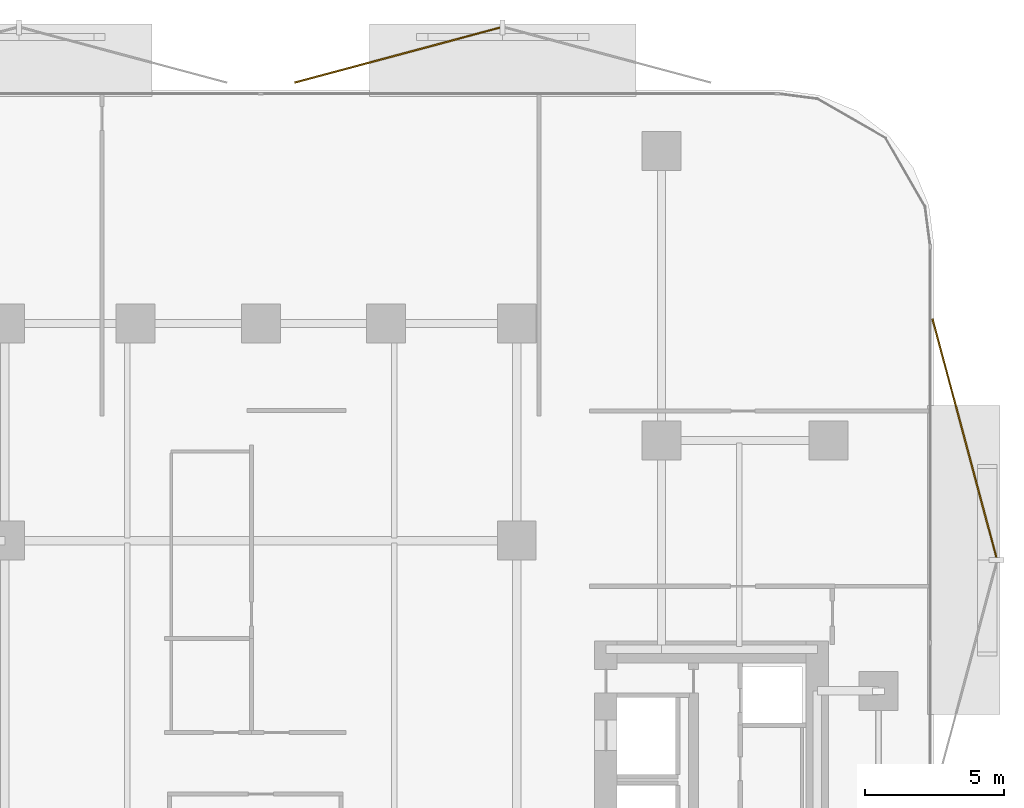
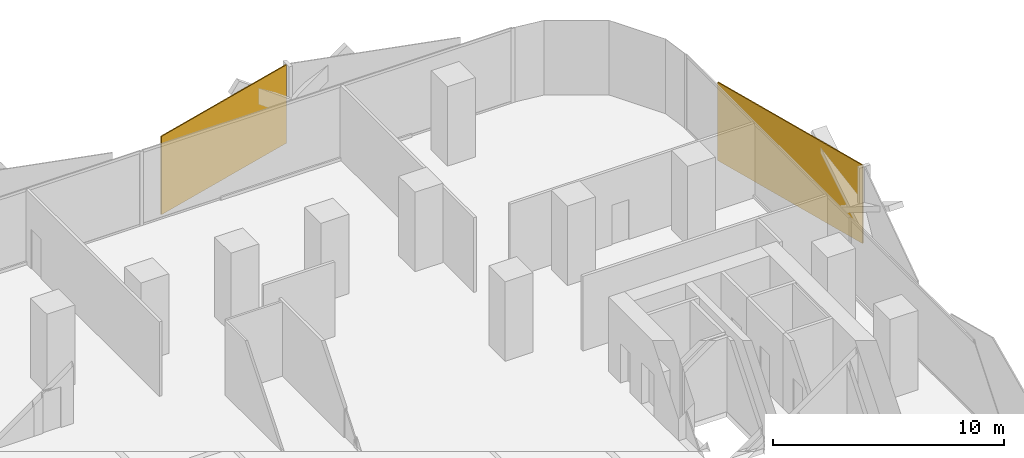
# One storey, part 16 of 16: 2 coverings.
"""IFC4 building model written with IfcOpenShell, lengths in metres."""

import ifcopenshell
import ifcopenshell.guid

model = None  # the IFC model being written
_history = None  # IfcOwnerHistory: only IFC2X3 demands one
_inside = {}  # id of a spatial element -> (the spatial element, [elements in it])
_under = {}  # id of a project, library or spatial element -> (it, [spatial elements below it])
_declared = {}  # id of a project -> (the project, [libraries it declares])
_typed = {}  # id of a type object -> (the type object, [elements of that type])
_made_of = {}  # id of a material, layer set ... -> (it, [elements and type objects made of it])


def new_model(schema):
    """Start an empty IFC model of exactly this schema.

    Asked for "IFC4X3", IfcOpenShell would pick the latest addendum, in which some entities
    have other attributes; the version numbers below select the first issue.
    IFC2X3 requires an IfcOwnerHistory on every rooted entity: one is made here for all.
    """
    global model, _history
    if schema == "IFC4X3":
        model = ifcopenshell.file(schema_version=(4, 3, 0, 0))
    else:
        model = ifcopenshell.file(schema=schema)
    _inside.clear()
    _under.clear()
    _declared.clear()
    _typed.clear()
    _made_of.clear()
    _history = None
    if model.schema == "IFC2X3":
        org = make("IfcOrganization", Name="unknown")
        user = make(
            "IfcPersonAndOrganization",
            ThePerson=make("IfcPerson", FamilyName="unknown"),
            TheOrganization=org,
        )
        app = make(
            "IfcApplication",
            ApplicationDeveloper=org,
            Version="unknown",
            ApplicationFullName="unknown",
            ApplicationIdentifier="unknown",
        )
        _history = make(
            "IfcOwnerHistory",
            OwningUser=user,
            OwningApplication=app,
            ChangeAction="ADDED",
            CreationDate=0,
        )
    return model


def make(cls, **values):
    """One entity of the class cls with the attributes given. An attribute that is None is left unset."""
    return model.create_entity(
        cls, **{name: value for name, value in values.items() if value is not None}
    )


def rooted(cls, **values):
    """An entity with a GlobalId (a new one), such as an element, a storey or a relation."""
    return make(cls, GlobalId=ifcopenshell.guid.new(), OwnerHistory=_history, **values)


def si_unit(unit_type, name, prefix=None):
    """IfcSIUnit, for example si_unit("LENGTHUNIT", "METRE", prefix="MILLI")."""
    return make("IfcSIUnit", UnitType=unit_type, Prefix=prefix, Name=name)


def assignment(units):
    """IfcUnitAssignment: the units of a project."""
    return None if units is None else make("IfcUnitAssignment", Units=units)


def point(xyz):
    """IfcCartesianPoint."""
    return None if xyz is None else make("IfcCartesianPoint", Coordinates=xyz)


def direction(xyz):
    """IfcDirection."""
    return None if xyz is None else make("IfcDirection", DirectionRatios=xyz)


def frame(location, z_axis=None, x_axis=None):
    """IfcAxis2Placement3D, a coordinate frame: its origin and axes. An axis left out is left unset."""
    return make(
        "IfcAxis2Placement3D",
        Location=point(location),
        Axis=direction(z_axis),
        RefDirection=direction(x_axis),
    )


def frame_2d(location, x_axis=None):
    """IfcAxis2Placement2D, a coordinate frame in the plane: its origin and x axis."""
    return make(
        "IfcAxis2Placement2D", Location=point(location), RefDirection=direction(x_axis)
    )


def origin():
    """The frame at (0, 0, 0) with its axes left unset."""
    return frame((0.0, 0.0, 0.0))


def origin_2d():
    """The frame at (0, 0) in the plane with its x axis left unset."""
    return frame_2d((0.0, 0.0))


def place(relative_to, where):
    """IfcLocalPlacement: puts the frame where relative to a parent placement (None: the world)."""
    return make(
        "IfcLocalPlacement", PlacementRelTo=relative_to, RelativePlacement=where
    )


def context(
    kind, dimensions, precision=None, world=None, true_north=None, identifier=None
):
    """IfcGeometricRepresentationContext, for example the 3D "Model" context."""
    return make(
        "IfcGeometricRepresentationContext",
        ContextIdentifier=identifier,
        ContextType=kind,
        CoordinateSpaceDimension=dimensions,
        Precision=precision,
        WorldCoordinateSystem=world,
        TrueNorth=true_north,
    )


def subcontext(parent, identifier, kind, view, scale=None):
    """IfcGeometricRepresentationSubContext, for example "Body" below "Model"."""
    return make(
        "IfcGeometricRepresentationSubContext",
        ContextIdentifier=identifier,
        ContextType=kind,
        ParentContext=parent,
        TargetScale=scale,
        TargetView=view,
    )


def project(units=None, contexts=None):
    """IfcProject with its units and contexts."""
    return rooted(
        "IfcProject",
        Name="project",
        RepresentationContexts=contexts,
        UnitsInContext=assignment(units),
    )


def spatial(cls, under=None, at=None, **own):
    """A site, building, storey or space (cls), placed at a placement, below another one or the project."""
    s = rooted(cls, ObjectPlacement=at, **own)
    if under is not None:
        _under.setdefault(under.id(), (under, []))[1].append(s)
    return s


def profile(cls, at=None, kind="AREA", **sizes):
    """A parametric profile (cls). Its sizes go by their IFC names, for example OverallWidth=200.0."""
    return make(cls, ProfileType=kind, Position=at, **sizes)


def rectangle(**sizes):
    """IfcRectangleProfileDef."""
    return profile("IfcRectangleProfileDef", **sizes)


def extrude(swept, where, along, depth):
    """IfcExtrudedAreaSolid: the profile swept, set in the frame where, extruded along a direction by depth."""
    return make(
        "IfcExtrudedAreaSolid",
        SweptArea=swept,
        Position=where,
        ExtrudedDirection=direction(along),
        Depth=depth,
    )


def shape(context_of_items, identifier, shape_type, items):
    """IfcShapeRepresentation: the items that make up one representation, for example the "Body"."""
    return make(
        "IfcShapeRepresentation",
        ContextOfItems=context_of_items,
        RepresentationIdentifier=identifier,
        RepresentationType=shape_type,
        Items=items,
    )


def material(Name=None, Category=None):
    """IfcMaterial."""
    return make("IfcMaterial", Name=Name, Category=Category)


def layer(
    of_material, thickness, ventilated=None, Name=None, Category=None, Priority=None
):
    """IfcMaterialLayer: one layer of a wall or slab, of a material (None: an air gap)."""
    return make(
        "IfcMaterialLayer",
        Material=of_material,
        LayerThickness=thickness,
        IsVentilated=ventilated,
        Name=Name,
        Category=Category,
        Priority=Priority,
    )


def layer_set(layers, Name=None):
    """IfcMaterialLayerSet."""
    return make("IfcMaterialLayerSet", MaterialLayers=layers, LayerSetName=Name)


def made_of(thing, what):
    """Note that an element or type object is made of a material, layer set ...; save() writes the relation."""
    if what is not None:
        _made_of.setdefault(what.id(), (what, []))[1].append(thing)
    return thing


def type_object(cls, material=None, **own):
    """A type object (cls), such as IfcWallType, which elements share."""
    return made_of(rooted(cls, **own), material)


def element(
    cls,
    number,
    at=None,
    inside=None,
    cuts=None,
    type_object=None,
    material=None,
    context=None,
    identifier="Body",
    shape_type=None,
    held_by="IfcProductDefinitionShape",
    body=None,
    shapes=None,
    **own,
):
    """One element of the class cls, such as IfcWall. Its Tag is "e" and its number.

    at: its placement. inside: the storey or other place that contains it. cuts: it is an
    opening in that element (IfcRelVoidsElement). A single representation is given by context,
    identifier, shape_type and body (its items); several are given by shapes. held_by: the class
    of the entity that holds the representations. save() writes the other relations.
    """
    e = rooted(cls, Tag="e%d" % number, ObjectPlacement=at, **own)
    if body is not None:
        shapes = [shape(context, identifier, shape_type, body)]
    if shapes is not None:
        e.Representation = make(held_by, Representations=shapes)
    if inside is not None:
        _inside.setdefault(inside.id(), (inside, []))[1].append(e)
    if cuts is not None:
        rooted(
            "IfcRelVoidsElement", RelatingBuildingElement=cuts, RelatedOpeningElement=e
        )
    if type_object is not None:
        _typed.setdefault(type_object.id(), (type_object, []))[1].append(e)
    return made_of(e, material)


def aggregate(whole, parts):
    """IfcRelAggregates: a whole, such as a stair, and the parts it consists of."""
    return rooted("IfcRelAggregates", RelatingObject=whole, RelatedObjects=parts)


def save(model, path):
    """Write the relations noted so far, then the file.

    IfcRelAggregates (storeys below a building ...), IfcRelContainedInSpatialStructure (elements
    in a storey), IfcRelDefinesByType, IfcRelAssociatesMaterial and IfcRelDeclares: one each for
    every whole, place, type object, material and project.
    """
    for whole, parts in _under.values():
        aggregate(whole, parts)
    for where, things in _inside.values():
        rooted(
            "IfcRelContainedInSpatialStructure",
            RelatedElements=things,
            RelatingStructure=where,
        )
    for kind, things in _typed.values():
        rooted("IfcRelDefinesByType", RelatedObjects=things, RelatingType=kind)
    for what, things in _made_of.values():
        rooted("IfcRelAssociatesMaterial", RelatedObjects=things, RelatingMaterial=what)
    for by, libraries in _declared.values():
        rooted("IfcRelDeclares", RelatingContext=by, RelatedDefinitions=libraries)
    model.write(path)


model = new_model("IFC4")

# Units and contexts
model_context = context("Model", 3, precision=1e-05, world=origin(), true_north=direction((0.0, 1.0)))
body_context = subcontext(model_context, "Body", "Model", "MODEL_VIEW")
ifc_project = project(units=[si_unit("LENGTHUNIT", "METRE"), si_unit("AREAUNIT", "SQUARE_METRE"), si_unit("VOLUMEUNIT", "CUBIC_METRE"), si_unit("PLANEANGLEUNIT", "RADIAN"), si_unit("MASSUNIT", "GRAM", prefix="KILO")], contexts=[model_context])

# Site, building, storey
site_placement = place(None, origin())
site = spatial("IfcSite", under=ifc_project, at=site_placement, CompositionType="ELEMENT")
building_placement = place(site_placement, origin())
building = spatial("IfcBuilding", under=site, at=building_placement, Name="Khairoan Windgate Tower", CompositionType="ELEMENT")
storey_placement = place(building_placement, frame((0.0, 0.0, 42.800048828125)))
storey = spatial("IfcBuildingStorey", under=building, at=storey_placement, Name="L10", CompositionType="ELEMENT", Elevation=42.800048828125)

# Coverings
ifc_material = material(Name="Anodised Bronze Aluminium 6063-T6", Category="aluminium")
ifc_layer = layer(ifc_material, 0.054931640625, Name="Anodised Bronze Aluminium 6063-T6")
ifc_layer_set = layer_set([ifc_layer], Name="Anodised Bronze Aluminium 6063-T6")
covering_type = type_object("IfcCoveringType", Name="Perforated Bronze-Ceramic Folded Solar Screen Cladding BSC-1", PredefinedType="CLADDING", material=ifc_layer_set)
covering_1_placement = place(storey_placement, frame((4.909912109375, 28.249755859375, -0.10009765625), z_axis=(0.0, 0.0, 1.0), x_axis=(0.965925826289, 0.258819045103, 0.0)))
element("IfcCovering", 1, at=covering_1_placement, inside=storey, type_object=covering_type, Name="L10 Folded Bronze Solar Screen Facet 38L", PredefinedType="CLADDING", context=body_context, shape_type="SweptSolid", body=[
    extrude(rectangle(XDim=7.652099609375, YDim=0.054931640625, at=origin_2d()), origin(), (0.0, 0.0, 1.0), 4.139892578125),
])
covering_2_placement = place(storey_placement, frame((25.290283203125, 14.47607421875, -0.10009765625), z_axis=(0.0, 0.0, 1.0), x_axis=(0.258819045103, -0.965925826289, 0.0)))
element("IfcCovering", 2, at=covering_2_placement, inside=storey, type_object=covering_type, Name="L10 Folded Bronze Solar Screen Facet 39L", PredefinedType="CLADDING", context=body_context, shape_type="SweptSolid", body=[
    extrude(rectangle(XDim=8.884033203125, YDim=0.054931640625, at=origin_2d()), origin(), (0.0, 0.0, 1.0), 4.139892578125),
])

save(model, "model.ifc")
